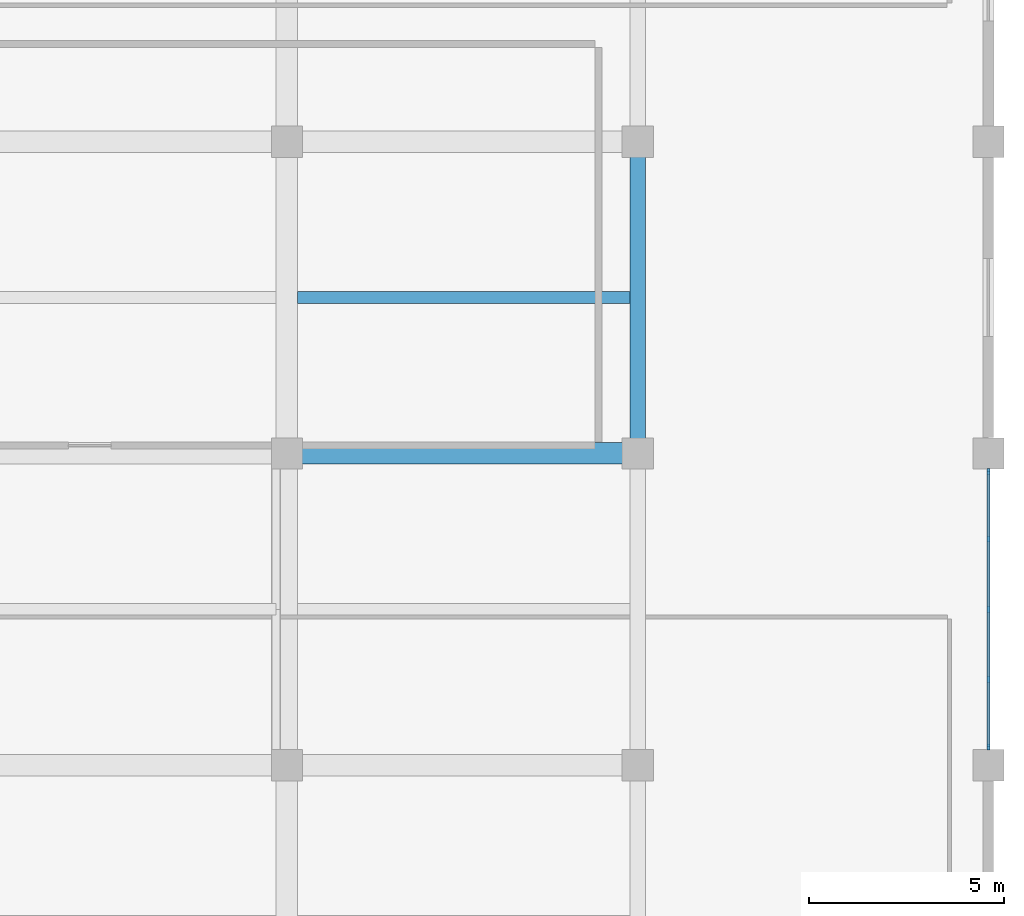
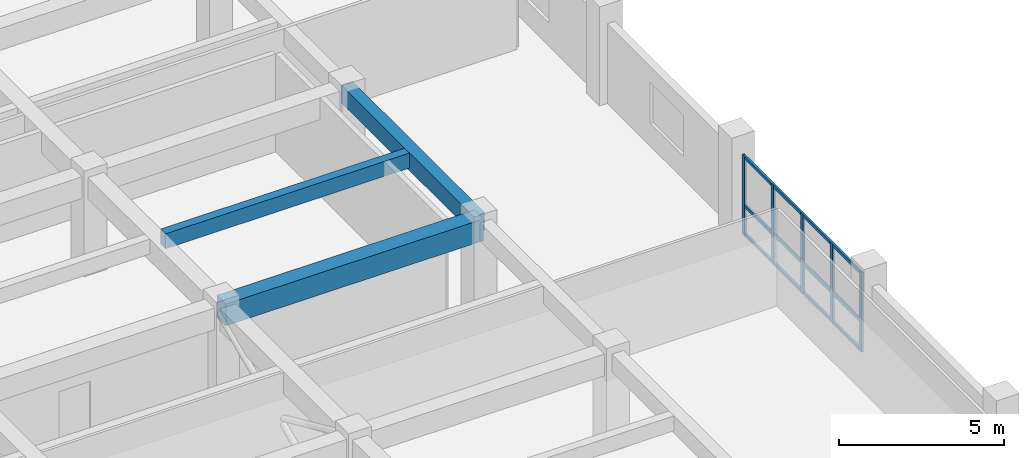
# One storey, part 7 of 16: 8 members, 3 beams, 1 element without a shape of its own.
"""IFC4 building model written with IfcOpenShell, lengths in metres."""

from ifc_helpers import new_model, si_unit, direction, frame, origin, origin_2d, place, context, subcontext, project, spatial, rectangle, extrude, material, material_profile, profile_set, type_object, element, aggregate, save


model = new_model("IFC4")

# Units and contexts
model_context = context("Model", 3, precision=1e-05, world=origin(), true_north=direction((0.0, 1.0)))
body_context = subcontext(model_context, "Body", "Model", "MODEL_VIEW")
ifc_project = project(units=[si_unit("LENGTHUNIT", "METRE"), si_unit("AREAUNIT", "SQUARE_METRE"), si_unit("VOLUMEUNIT", "CUBIC_METRE"), si_unit("PLANEANGLEUNIT", "RADIAN"), si_unit("MASSUNIT", "GRAM", prefix="KILO")], contexts=[model_context])

# Site, building, storey
site_placement = place(None, origin())
site = spatial("IfcSite", under=ifc_project, at=site_placement, CompositionType="ELEMENT")
building_placement = place(site_placement, origin())
building = spatial("IfcBuilding", under=site, at=building_placement, Name="Zaverband Oceanarium and Marine Research Institute", CompositionType="ELEMENT")
storey_placement = place(building_placement, frame((0.0, 0.0, 41.39990234375)))
storey = spatial("IfcBuildingStorey", under=building, at=storey_placement, Name="L10", CompositionType="ELEMENT", Elevation=41.39990234375)

# Beams
ifc_material_1 = material(Name="Concrete C40/50", Category="concrete")
ifc_material_profile_1 = material_profile(ifc_material_1, rectangle(XDim=0.550048828125, YDim=0.800048828125, at=origin_2d()), Name="RC550x800")
ifc_profile_set_1 = profile_set([ifc_material_profile_1], Name="Concrete C40/50")
beam_type_1 = type_object("IfcBeamType", Name="BM-550x800", PredefinedType="BEAM", material=ifc_profile_set_1)
beam_1_placement = place(storey_placement, frame((54.0, 88.0, 3.22021484375), z_axis=(1.0, 0.0, 0.0), x_axis=(0.0, 1.0, 0.0)))
element("IfcBeam", 1, at=beam_1_placement, inside=storey, type_object=beam_type_1, Name="Primary floor girder BM-550x800", PredefinedType="BEAM", context=body_context, shape_type="SweptSolid", body=[
    extrude(rectangle(XDim=0.550048828125, YDim=0.800048828125, at=origin_2d()), origin(), (0.0, 0.0, 1.0), 9.0),
])
ifc_material_profile_2 = material_profile(ifc_material_1, rectangle(XDim=0.300048828125, YDim=0.550048828125, at=origin_2d()), Name="RC300x550")
ifc_profile_set_2 = profile_set([ifc_material_profile_2], Name="Concrete C40/50")
beam_type_2 = type_object("IfcBeamType", Name="JST-300x550", PredefinedType="JOIST", material=ifc_profile_set_2)
beam_2_placement = place(storey_placement, frame((54.27490234375, 92.0, 3.34521484375), z_axis=(1.0, 0.0, 0.0), x_axis=(0.0, 1.0, 0.0)))
element("IfcBeam", 2, at=beam_2_placement, inside=storey, type_object=beam_type_2, Name="Secondary floor joist JST-300x550", PredefinedType="JOIST", context=body_context, shape_type="SweptSolid", body=[
    extrude(rectangle(XDim=0.300048828125, YDim=0.550048828125, at=origin_2d()), origin(), (0.0, 0.0, 1.0), 8.525146484375),
])

# Curtain wall, members
ifc_material_2 = material(Name="Thermally broken anodized aluminium and solar-control glass", Category="aluminium")
curtain_wall_type = type_object("IfcCurtainWallType", Name="CW-UNIT-1800", PredefinedType="NOTDEFINED", material=ifc_material_2)
curtain_wall_placement = place(storey_placement, origin())
curtain_wall = element("IfcCurtainWall", 3, at=curtain_wall_placement, inside=storey, type_object=curtain_wall_type, Name="Unitised glazed curtain wall CW-120", PredefinedType="NOTDEFINED")
ifc_material_3 = material(Name="Thermally broken anodized aluminium", Category="aluminium")
ifc_material_profile_3 = material_profile(ifc_material_3, rectangle(XDim=0.070068359375, YDim=0.14990234375, at=origin_2d()), Name="AL-MUL-70x150")
ifc_profile_set_3 = profile_set([ifc_material_profile_3], Name="Thermally broken anodized aluminium")
member_type_1 = type_object("IfcMemberType", Name="MUL-70x150", PredefinedType="MULLION", material=ifc_profile_set_3)
member_1_placement = place(storey_placement, frame((72.0, 80.465087890625, 0.0), z_axis=(0.0, 0.0, 1.0), x_axis=(1.0, 0.0, 0.0)))
member_1 = element("IfcMember", 4, at=member_1_placement, type_object=member_type_1, Name="Curtain wall vertical mullion MUL-70x150", PredefinedType="MULLION", context=body_context, shape_type="SweptSolid", body=[
    extrude(rectangle(XDim=0.070068359375, YDim=0.14990234375, at=origin_2d()), origin(), (0.0, 0.0, 1.0), 2.9501953125),
])
member_2_placement = place(storey_placement, frame((72.0, 82.202392578125, 0.0), z_axis=(0.0, 0.0, 1.0), x_axis=(1.0, 0.0, 0.0)))
member_2 = element("IfcMember", 5, at=member_2_placement, type_object=member_type_1, Name="Curtain wall vertical mullion MUL-70x150", PredefinedType="MULLION", context=body_context, shape_type="SweptSolid", body=[
    extrude(rectangle(XDim=0.070068359375, YDim=0.14990234375, at=origin_2d()), origin(), (0.0, 0.0, 1.0), 2.9501953125),
])
member_3_placement = place(storey_placement, frame((72.0, 84.0, 0.0), z_axis=(0.0, 0.0, 1.0), x_axis=(1.0, 0.0, 0.0)))
member_3 = element("IfcMember", 6, at=member_3_placement, type_object=member_type_1, Name="Curtain wall vertical mullion MUL-70x150", PredefinedType="MULLION", context=body_context, shape_type="SweptSolid", body=[
    extrude(rectangle(XDim=0.070068359375, YDim=0.14990234375, at=origin_2d()), origin(), (0.0, 0.0, 1.0), 2.9501953125),
])
member_4_placement = place(storey_placement, frame((72.0, 85.797607421875, 0.0), z_axis=(0.0, 0.0, 1.0), x_axis=(1.0, 0.0, 0.0)))
member_4 = element("IfcMember", 7, at=member_4_placement, type_object=member_type_1, Name="Curtain wall vertical mullion MUL-70x150", PredefinedType="MULLION", context=body_context, shape_type="SweptSolid", body=[
    extrude(rectangle(XDim=0.070068359375, YDim=0.14990234375, at=origin_2d()), origin(), (0.0, 0.0, 1.0), 2.9501953125),
])
member_5_placement = place(storey_placement, frame((72.0, 87.534912109375, 0.0), z_axis=(0.0, 0.0, 1.0), x_axis=(1.0, 0.0, 0.0)))
member_5 = element("IfcMember", 8, at=member_5_placement, type_object=member_type_1, Name="Curtain wall vertical mullion MUL-70x150", PredefinedType="MULLION", context=body_context, shape_type="SweptSolid", body=[
    extrude(rectangle(XDim=0.070068359375, YDim=0.14990234375, at=origin_2d()), origin(), (0.0, 0.0, 1.0), 2.9501953125),
])

# Beam
ifc_material_profile_4 = material_profile(ifc_material_1, rectangle(XDim=0.39990234375, YDim=0.64990234375, at=origin_2d()), Name="RC400x650")
ifc_profile_set_4 = profile_set([ifc_material_profile_4], Name="Concrete C40/50")
beam_type_3 = type_object("IfcBeamType", Name="SPN-400x650", PredefinedType="SPANDREL", material=ifc_profile_set_4)
beam_3_placement = place(storey_placement, frame((63.0, 88.0, 3.295166015625), z_axis=(0.0, 1.0, 0.0), x_axis=(-1.0, 0.0, 0.0)))
element("IfcBeam", 9, at=beam_3_placement, inside=storey, type_object=beam_type_3, Name="Perimeter spandrel beam SPN-400x650", PredefinedType="SPANDREL", context=body_context, shape_type="SweptSolid", body=[
    extrude(rectangle(XDim=0.39990234375, YDim=0.64990234375, at=origin_2d()), origin(), (0.0, 0.0, 1.0), 8.0),
])

# Member
ifc_material_profile_5 = material_profile(ifc_material_3, rectangle(XDim=0.070068359375, YDim=0.114990234375, at=origin_2d()), Name="AL-TRN-70x115")
ifc_profile_set_5 = profile_set([ifc_material_profile_5], Name="Thermally broken anodized aluminium")
member_type_2 = type_object("IfcMemberType", Name="TRN-70x115", PredefinedType="USERDEFINED", material=ifc_profile_set_5)
member_6_placement = place(storey_placement, frame((72.0, 80.465087890625, 0.050048828125), z_axis=(0.0, 1.0, 0.0), x_axis=(-1.0, 0.0, 0.0)))
member_6 = element("IfcMember", 10, at=member_6_placement, type_object=member_type_2, Name="Curtain wall horizontal transom TRN-70x115", ObjectType="TRANSOM", PredefinedType="USERDEFINED", context=body_context, shape_type="SweptSolid", body=[
    extrude(rectangle(XDim=0.070068359375, YDim=0.114990234375, at=origin_2d()), origin(), (0.0, 0.0, 1.0), 7.06982421875),
])

member_7_placement = place(storey_placement, frame((72.0, 80.465087890625, 1.112060546875), z_axis=(0.0, 1.0, 0.0), x_axis=(-1.0, 0.0, 0.0)))
member_7 = element("IfcMember", 11, at=member_7_placement, type_object=member_type_2, Name="Curtain wall horizontal transom TRN-70x115", ObjectType="TRANSOM", PredefinedType="USERDEFINED", context=body_context, shape_type="SweptSolid", body=[
    extrude(rectangle(XDim=0.070068359375, YDim=0.114990234375, at=origin_2d()), origin(), (0.0, 0.0, 1.0), 7.06982421875),
])

member_8_placement = place(storey_placement, frame((72.0, 80.465087890625, 2.900146484375), z_axis=(0.0, 1.0, 0.0), x_axis=(-1.0, 0.0, 0.0)))
member_8 = element("IfcMember", 12, at=member_8_placement, type_object=member_type_2, Name="Curtain wall horizontal transom TRN-70x115", ObjectType="TRANSOM", PredefinedType="USERDEFINED", context=body_context, shape_type="SweptSolid", body=[
    extrude(rectangle(XDim=0.070068359375, YDim=0.114990234375, at=origin_2d()), origin(), (0.0, 0.0, 1.0), 7.06982421875),
])

aggregate(curtain_wall, [member_1, member_2, member_3, member_4, member_5, member_6, member_7, member_8])

save(model, "model.ifc")
